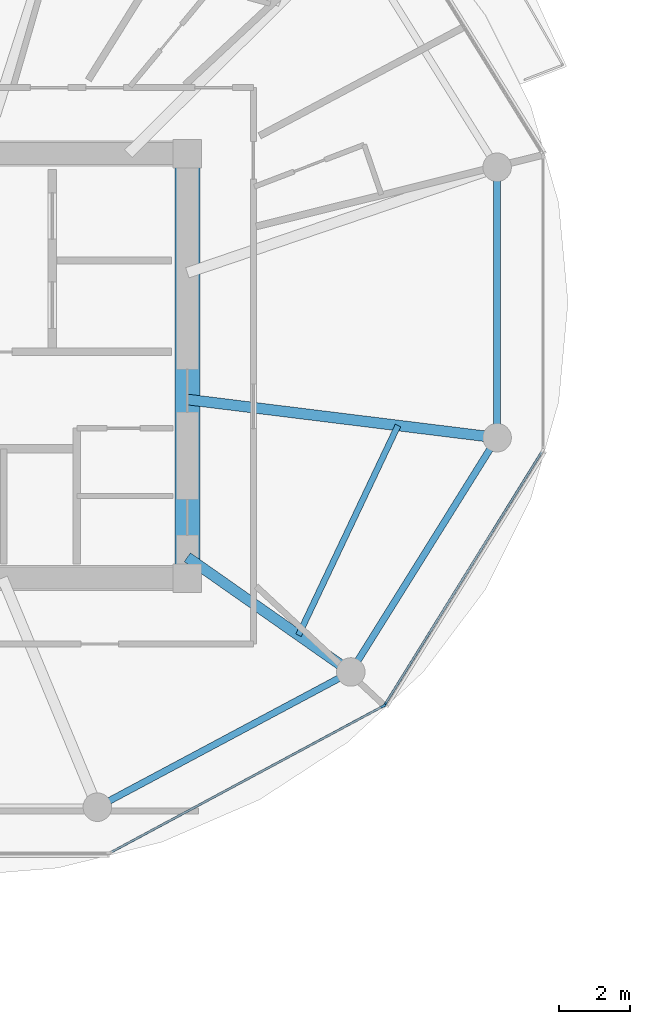
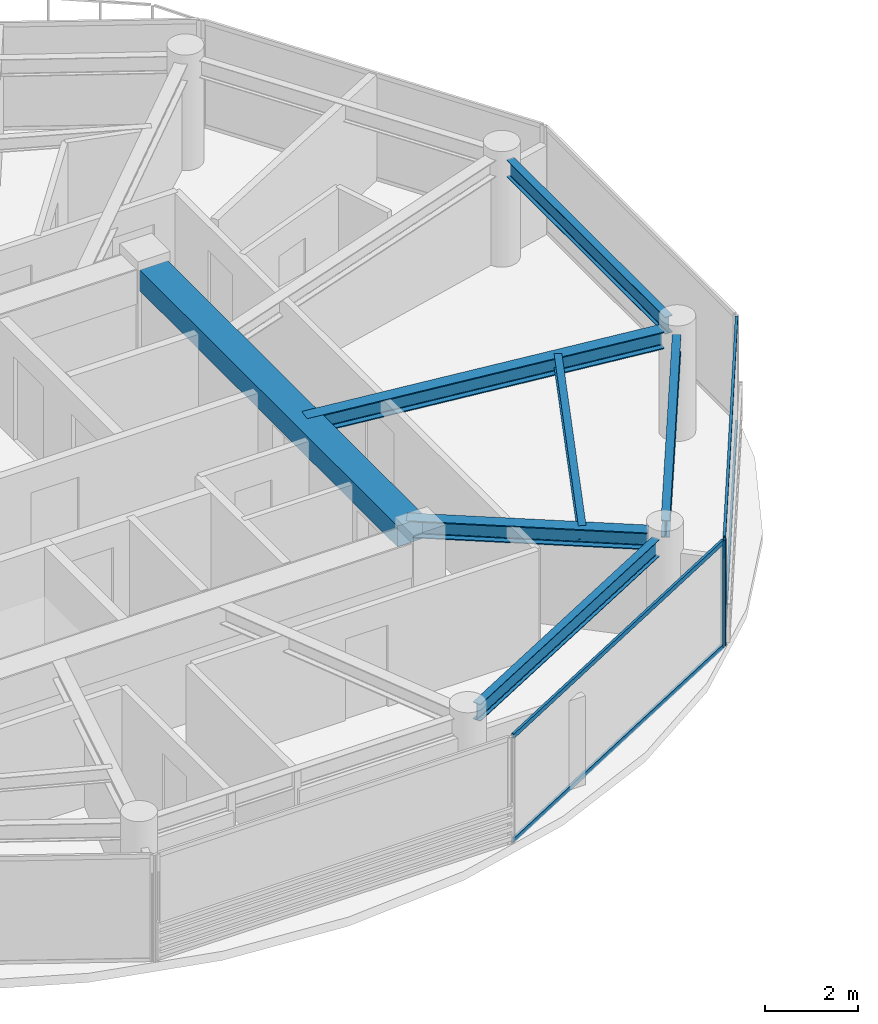
# One storey, part 3 of 21: 7 beams, 6 members, 2 elements without a shape of their own.
"""IFC4 building model written with IfcOpenShell, lengths in metres."""

from ifc_helpers import new_model, si_unit, direction, frame, origin, origin_2d, place, context, subcontext, project, spatial, rectangle, i_section, extrude, source, transform, mapped, material, layer, layer_set, material_profile, profile_set, type_object, type_shapes, element, aggregate, save


model = new_model("IFC4")

# Units and contexts
model_context = context("Model", 3, precision=1e-05, world=origin(), true_north=direction((0.0, 1.0)))
body_context = subcontext(model_context, "Body", "Model", "MODEL_VIEW")
ifc_project = project(units=[si_unit("LENGTHUNIT", "METRE"), si_unit("AREAUNIT", "SQUARE_METRE"), si_unit("VOLUMEUNIT", "CUBIC_METRE"), si_unit("PLANEANGLEUNIT", "RADIAN"), si_unit("MASSUNIT", "GRAM", prefix="KILO")], contexts=[model_context])

# Site, building, storey
site_placement = place(None, origin())
site = spatial("IfcSite", under=ifc_project, at=site_placement, CompositionType="ELEMENT")
building_placement = place(site_placement, origin())
building = spatial("IfcBuilding", under=site, at=building_placement, Name="Norrkilde Senior Care Towers", CompositionType="ELEMENT")
storey_placement = place(building_placement, frame((0.0, 0.0, 149.550048828125)))
storey = spatial("IfcBuildingStorey", under=building, at=storey_placement, Name="L46", CompositionType="ELEMENT", Elevation=149.550048828125)

# Beams
ifc_material_1 = material(Name="Concrete C60/75", Category="concrete")
ifc_material_profile_1 = material_profile(ifc_material_1, rectangle(XDim=0.699951171875, YDim=0.550048828125, at=origin_2d()), Name="RC BM 700x550")
ifc_profile_set_1 = profile_set([ifc_material_profile_1], Name="Concrete C60/75")
beam_type_1 = type_object("IfcBeamType", Name="Core Portal Coupling Beam 700x550", PredefinedType="USERDEFINED", material=ifc_profile_set_1)
shared_shape_1 = source(origin(), body_context, "Body", "SweptSolid", [
    extrude(rectangle(XDim=0.699951171875, YDim=0.550048828125, at=origin_2d()), origin(), (0.0, 0.0, 1.0), 11.14013671875),
])
type_shapes(beam_type_1, [shared_shape_1])
beam_1_placement = place(storey_placement, frame((-20.35009765625, -5.570068359375, 2.534912109375), z_axis=(0.0, 1.0, 0.0), x_axis=(-1.0, 0.0, 0.0)))
element("IfcBeam", 1, at=beam_1_placement, inside=storey, type_object=beam_type_1, Name="L46 Core W E Coupling Girder", ObjectType="GIRDER", PredefinedType="USERDEFINED", context=body_context, shape_type="MappedRepresentation", body=[
    mapped(shared_shape_1, transform((0.0, 0.0, 0.0), x_axis=(1.0, 0.0, 0.0), y_axis=(0.0, 1.0, 0.0), z_axis=(0.0, 0.0, 1.0), scale=1.0)),
])
ifc_material_2 = material(Name="Steel S355", Category="steel")
ifc_material_profile_2 = material_profile(ifc_material_2, i_section(OverallWidth=0.18994140625, OverallDepth=0.449951171875, WebThickness=0.009521484375, FlangeThickness=0.0146484375, FilletRadius=0.02099609375, at=origin_2d()), Name="IPE 450")
ifc_profile_set_2 = profile_set([ifc_material_profile_2], Name="Steel S355")
beam_type_2 = type_object("IfcBeamType", Name="Perimeter Ring Spandrel Z3 IPE450", PredefinedType="SPANDREL", material=ifc_profile_set_2)
shared_shape_2 = source(origin(), body_context, "Body", "SweptSolid", [
    extrude(i_section(OverallWidth=0.18994140625, OverallDepth=0.449951171875, WebThickness=0.009521484375, FlangeThickness=0.0146484375, FilletRadius=0.02099609375, at=origin_2d()), origin(), (0.0, 0.0, 1.0), 6.86328125),
])
beam_2_placement = place(storey_placement, frame((-11.6650390625, -1.65625, 2.5849609375), z_axis=(0.0, 1.0, 0.0), x_axis=(-1.0, 0.0, 0.0)))
element("IfcBeam", 2, at=beam_2_placement, inside=storey, type_object=beam_type_2, Name="L46 Drum W Perimeter Spandrel 12", PredefinedType="SPANDREL", context=body_context, shape_type="MappedRepresentation", body=[
    mapped(shared_shape_2, transform((0.0, 0.0, 0.0), x_axis=(1.0, 0.0, 0.0), y_axis=(0.0, 1.0, 0.0), z_axis=(0.0, 0.0, 1.0), scale=1.0)),
])
shared_shape_3 = source(origin(), body_context, "Body", "SweptSolid", [
    extrude(i_section(OverallWidth=0.18994140625, OverallDepth=0.449951171875, WebThickness=0.009521484375, FlangeThickness=0.0146484375, FilletRadius=0.02099609375, at=origin_2d()), origin(), (0.0, 0.0, 1.0), 7.023193359375),
])
beam_3_placement = place(storey_placement, frame((-15.57666015625, -8.2783203125, 2.5849609375), z_axis=(0.529805197269, 0.848119362441, 0.0), x_axis=(-0.848119362441, 0.529805197269, 0.0)))
element("IfcBeam", 3, at=beam_3_placement, inside=storey, type_object=beam_type_2, Name="L46 Drum W Perimeter Spandrel 11", PredefinedType="SPANDREL", context=body_context, shape_type="MappedRepresentation", body=[
    mapped(shared_shape_3, transform((0.0, 0.0, 0.0), x_axis=(1.0, 0.0, 0.0), y_axis=(0.0, 1.0, 0.0), z_axis=(0.0, 0.0, 1.0), scale=1.0)),
])
shared_shape_4 = source(origin(), body_context, "Body", "SweptSolid", [
    extrude(i_section(OverallWidth=0.18994140625, OverallDepth=0.449951171875, WebThickness=0.009521484375, FlangeThickness=0.0146484375, FilletRadius=0.02099609375, at=origin_2d()), origin(), (0.0, 0.0, 1.0), 7.333984375),
])
type_shapes(beam_type_2, [shared_shape_2, shared_shape_3, shared_shape_4])
beam_4_placement = place(storey_placement, frame((-22.55517578125, -12.2060546875, 2.5849609375), z_axis=(0.882234038987, 0.470811109101, 0.0), x_axis=(-0.470811109101, 0.882234038987, 0.0)))
element("IfcBeam", 4, at=beam_4_placement, inside=storey, type_object=beam_type_2, Name="L46 Drum W Perimeter Spandrel 10", PredefinedType="SPANDREL", context=body_context, shape_type="MappedRepresentation", body=[
    mapped(shared_shape_4, transform((0.0, 0.0, 0.0), x_axis=(1.0, 0.0, 0.0), y_axis=(0.0, 1.0, 0.0), z_axis=(0.0, 0.0, 1.0), scale=1.0)),
])
ifc_material_profile_3 = material_profile(ifc_material_2, i_section(OverallWidth=0.300048828125, OverallDepth=0.449951171875, WebThickness=0.013916015625, FlangeThickness=0.02587890625, FilletRadius=0.027099609375, at=origin_2d()), Name="HEB 450")
ifc_profile_set_3 = profile_set([ifc_material_profile_3], Name="Steel S355")
beam_type_3 = type_object("IfcBeamType", Name="Radial Floor Beam Z3 HEB450", PredefinedType="BEAM", material=ifc_profile_set_3)
shared_shape_5 = source(origin(), body_context, "Body", "SweptSolid", [
    extrude(i_section(OverallWidth=0.300048828125, OverallDepth=0.449951171875, WebThickness=0.013916015625, FlangeThickness=0.02587890625, FilletRadius=0.027099609375, at=origin_2d()), origin(), (0.0, 0.0, 1.0), 5.23828125),
])
beam_5_placement = place(storey_placement, frame((-20.35009765625, -5.3681640625, 2.5849609375), z_axis=(0.818592061291, -0.574375345215, 0.0), x_axis=(0.574375345215, 0.818592061291, 0.0)))
element("IfcBeam", 5, at=beam_5_placement, inside=storey, type_object=beam_type_3, Name="L46 Drum W Radial Floor Beam 11", PredefinedType="BEAM", context=body_context, shape_type="MappedRepresentation", body=[
    mapped(shared_shape_5, transform((0.0, 0.0, 0.0), x_axis=(1.0, 0.0, 0.0), y_axis=(0.0, 1.0, 0.0), z_axis=(0.0, 0.0, 1.0), scale=1.0)),
])
shared_shape_6 = source(origin(), body_context, "Body", "SweptSolid", [
    extrude(i_section(OverallWidth=0.300048828125, OverallDepth=0.449951171875, WebThickness=0.013916015625, FlangeThickness=0.02587890625, FilletRadius=0.027099609375, at=origin_2d()), origin(), (0.0, 0.0, 1.0), 8.390869140625),
])
type_shapes(beam_type_3, [shared_shape_5, shared_shape_6])
beam_6_placement = place(storey_placement, frame((-20.35009765625, -0.9443359375, 2.5849609375), z_axis=(0.99246916403, -0.122494728249, 0.0), x_axis=(0.122494728249, 0.99246916403, 0.0)))
element("IfcBeam", 6, at=beam_6_placement, inside=storey, type_object=beam_type_3, Name="L46 Drum W Radial Floor Beam 12", PredefinedType="BEAM", context=body_context, shape_type="MappedRepresentation", body=[
    mapped(shared_shape_6, transform((0.0, 0.0, 0.0), x_axis=(1.0, 0.0, 0.0), y_axis=(0.0, 1.0, 0.0), z_axis=(0.0, 0.0, 1.0), scale=1.0)),
])
ifc_material_profile_4 = material_profile(ifc_material_2, i_section(OverallWidth=0.169921875, OverallDepth=0.360107421875, WebThickness=0.008056640625, FlangeThickness=0.0126953125, FilletRadius=0.01806640625, at=origin_2d()), Name="IPE 360")
ifc_profile_set_4 = profile_set([ifc_material_profile_4], Name="Steel S355")
beam_type_4 = type_object("IfcBeamType", Name="Secondary Floor Joist IPE360", PredefinedType="JOIST", material=ifc_profile_set_4)
shared_shape_7 = source(origin(), body_context, "Body", "SweptSolid", [
    extrude(i_section(OverallWidth=0.169921875, OverallDepth=0.360107421875, WebThickness=0.008056640625, FlangeThickness=0.0126953125, FilletRadius=0.01806640625, at=origin_2d()), origin(), (0.0, 0.0, 1.0), 6.50927734375),
])
type_shapes(beam_type_4, [shared_shape_7])
beam_7_placement = place(storey_placement, frame((-17.23388671875, -7.5546875, 2.6298828125), z_axis=(0.428544169129, 0.90352083269, 0.0), x_axis=(-0.90352083269, 0.428544169129, 0.0)))
element("IfcBeam", 7, at=beam_7_placement, inside=storey, type_object=beam_type_4, Name="L46 Drum W Secondary Floor Joist 4", PredefinedType="JOIST", context=body_context, shape_type="MappedRepresentation", body=[
    mapped(shared_shape_7, transform((0.0, 0.0, 0.0), x_axis=(1.0, 0.0, 0.0), y_axis=(0.0, 1.0, 0.0), z_axis=(0.0, 0.0, 1.0), scale=1.0)),
])

# Curtain wall, member
ifc_material_3 = material(Name="Triple Low-E Insulated Glazing", Category="glass")
ifc_layer = layer(ifc_material_3, 0.18994140625)
ifc_layer_set = layer_set([ifc_layer], Name="Triple Low-E Insulated Glazing")
curtain_wall_type = type_object("IfcCurtainWallType", Name="CW4 Zone 3 Senior Residence Curtain Wall", PredefinedType="NOTDEFINED", material=ifc_layer_set)
curtain_wall_1_placement = place(storey_placement, origin())
curtain_wall_1 = element("IfcCurtainWall", 8, at=curtain_wall_1_placement, inside=storey, type_object=curtain_wall_type, Name="L46 Drum W Curtain Wall 09", PredefinedType="NOTDEFINED")
ifc_material_4 = material(Name="Anodised Aluminium", Category="aluminium")
ifc_material_profile_5 = material_profile(ifc_material_4, rectangle(XDim=0.06494140625, YDim=0.14990234375, at=origin_2d()), Name="ALU MULL 65x150")
ifc_profile_set_5 = profile_set([ifc_material_profile_5], Name="Anodised Aluminium")
member_type_1 = type_object("IfcMemberType", Name="Curtain Wall Mullion Z3-Z4 65x150", PredefinedType="MULLION", material=ifc_profile_set_5)
shared_shape_8 = source(origin(), body_context, "Body", "SweptSolid", [
    extrude(rectangle(XDim=0.06494140625, YDim=0.14990234375, at=origin_2d()), origin(), (0.0, 0.0, 1.0), 2.81005859375),
])
type_shapes(member_type_1, [shared_shape_8])
member_1_placement = place(storey_placement, frame((-14.85546875, -9.53955078125, 0.0), z_axis=(0.0, 0.0, 1.0), x_axis=(0.47311715104, -0.880999524059, 0.0)))
member_1 = element("IfcMember", 9, at=member_1_placement, type_object=member_type_1, Name="CW-4 mullion 1", PredefinedType="MULLION", context=body_context, shape_type="MappedRepresentation", body=[
    mapped(shared_shape_8, transform((0.0, 0.0, 0.0), x_axis=(1.0, 0.0, 0.0), y_axis=(0.0, 1.0, 0.0), z_axis=(0.0, 0.0, 1.0), scale=1.0)),
])

# Curtain wall, members
curtain_wall_2_placement = place(storey_placement, origin())
curtain_wall_2 = element("IfcCurtainWall", 10, at=curtain_wall_2_placement, inside=storey, type_object=curtain_wall_type, Name="L46 Drum W Curtain Wall 10", PredefinedType="NOTDEFINED")
member_2_placement = place(storey_placement, frame((-14.809814453125, -9.49658203125, 0.0), z_axis=(0.0, 0.0, 1.0), x_axis=(0.84963405474, -0.52737270789, 0.0)))
member_2 = element("IfcMember", 11, at=member_2_placement, type_object=member_type_1, Name="CW-4 mullion 2", PredefinedType="MULLION", context=body_context, shape_type="MappedRepresentation", body=[
    mapped(shared_shape_8, transform((0.0, 0.0, 0.0), x_axis=(1.0, 0.0, 0.0), y_axis=(0.0, 1.0, 0.0), z_axis=(0.0, 0.0, 1.0), scale=1.0)),
])
ifc_material_profile_6 = material_profile(ifc_material_4, rectangle(XDim=0.06005859375, YDim=0.1201171875, at=origin_2d()), Name="ALU TRAN 60x120")
ifc_profile_set_6 = profile_set([ifc_material_profile_6], Name="Anodised Aluminium")
member_type_2 = type_object("IfcMemberType", Name="Curtain Wall Transom Typical 60x120", PredefinedType="USERDEFINED", material=ifc_profile_set_6)
shared_shape_9 = source(origin(), body_context, "Body", "SweptSolid", [
    extrude(rectangle(XDim=0.06005859375, YDim=0.1201171875, at=origin_2d()), origin(), (0.0, 0.0, 1.0), 8.301513671875),
])
member_3_placement = place(storey_placement, frame((-10.414794921875, -2.415771484375, 0.030029296875), z_axis=(-0.527368718394, -0.849636531029, 0.0), x_axis=(0.849636531029, -0.527368718394, 0.0)))
member_3 = element("IfcMember", 12, at=member_3_placement, type_object=member_type_2, Name="CW-4 transom 1.1", ObjectType="TRANSOM", PredefinedType="USERDEFINED", context=body_context, shape_type="MappedRepresentation", body=[
    mapped(shared_shape_9, transform((0.0, 0.0, 0.0), x_axis=(1.0, 0.0, 0.0), y_axis=(0.0, 1.0, 0.0), z_axis=(0.0, 0.0, 1.0), scale=1.0)),
])
member_4_placement = place(storey_placement, frame((-10.414794921875, -2.415771484375, 2.780029296875), z_axis=(-0.527368718394, -0.849636531029, 0.0), x_axis=(0.849636531029, -0.527368718394, 0.0)))
member_4 = element("IfcMember", 13, at=member_4_placement, type_object=member_type_2, Name="CW-4 transom 1.2", ObjectType="TRANSOM", PredefinedType="USERDEFINED", context=body_context, shape_type="MappedRepresentation", body=[
    mapped(shared_shape_9, transform((0.0, 0.0, 0.0), x_axis=(1.0, 0.0, 0.0), y_axis=(0.0, 1.0, 0.0), z_axis=(0.0, 0.0, 1.0), scale=1.0)),
])
aggregate(curtain_wall_2, [member_2, member_3, member_4])

# Member
shared_shape_10 = source(origin(), body_context, "Body", "SweptSolid", [
    extrude(rectangle(XDim=0.06005859375, YDim=0.1201171875, at=origin_2d()), origin(), (0.0, 0.0, 1.0), 8.61181640625),
])
type_shapes(member_type_2, [shared_shape_9, shared_shape_10])
member_5_placement = place(storey_placement, frame((-14.88427734375, -9.554931640625, 0.030029296875), z_axis=(-0.880993991641, -0.473127452906, 0.0), x_axis=(0.473127452906, -0.880993991641, 0.0)))
member_5 = element("IfcMember", 14, at=member_5_placement, type_object=member_type_2, Name="CW-4 transom 1.1", ObjectType="TRANSOM", PredefinedType="USERDEFINED", context=body_context, shape_type="MappedRepresentation", body=[
    mapped(shared_shape_10, transform((0.0, 0.0, 0.0), x_axis=(1.0, 0.0, 0.0), y_axis=(0.0, 1.0, 0.0), z_axis=(0.0, 0.0, 1.0), scale=1.0)),
])

member_6_placement = place(storey_placement, frame((-14.88427734375, -9.554931640625, 2.780029296875), z_axis=(-0.880993991641, -0.473127452906, 0.0), x_axis=(0.473127452906, -0.880993991641, 0.0)))
member_6 = element("IfcMember", 15, at=member_6_placement, type_object=member_type_2, Name="CW-4 transom 1.2", ObjectType="TRANSOM", PredefinedType="USERDEFINED", context=body_context, shape_type="MappedRepresentation", body=[
    mapped(shared_shape_10, transform((0.0, 0.0, 0.0), x_axis=(1.0, 0.0, 0.0), y_axis=(0.0, 1.0, 0.0), z_axis=(0.0, 0.0, 1.0), scale=1.0)),
])

aggregate(curtain_wall_1, [member_1, member_5, member_6])

save(model, "model.ifc")
